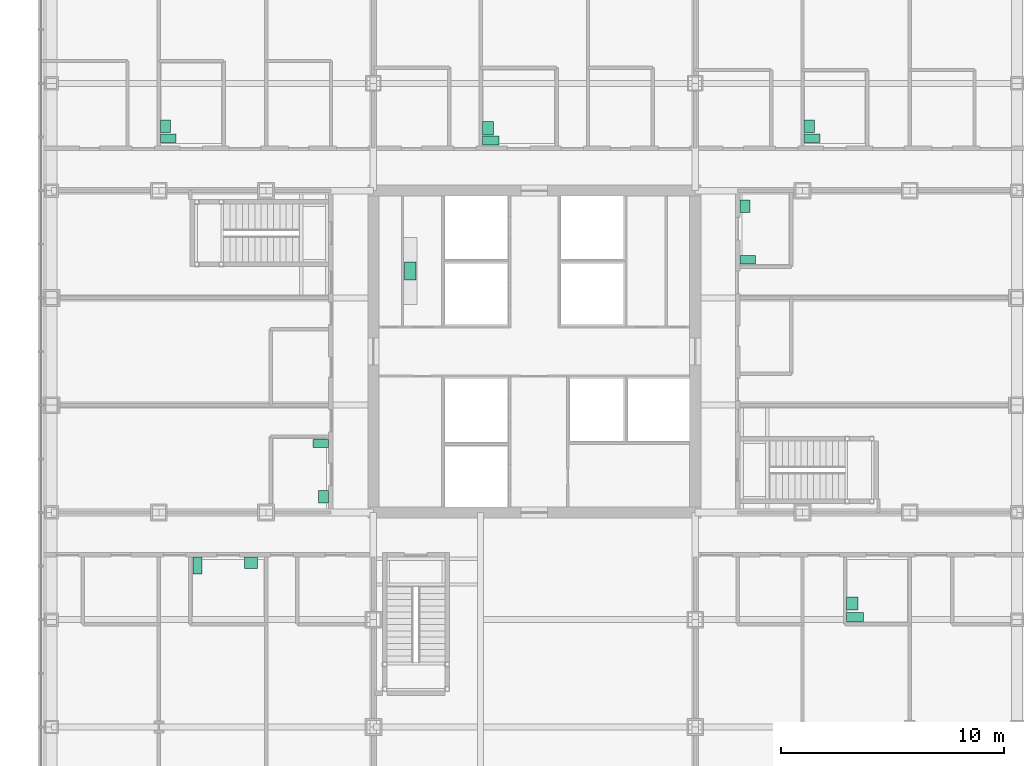
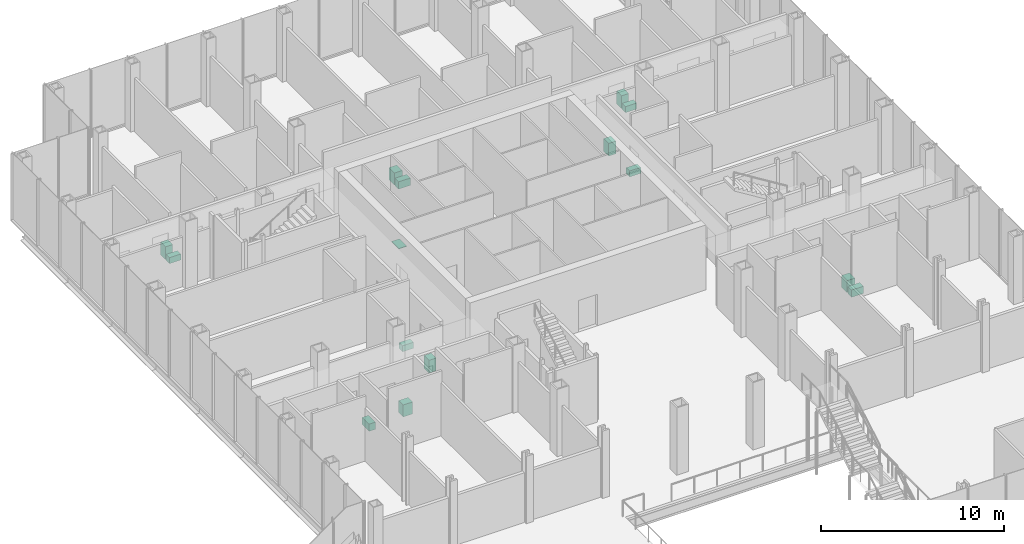
# One storey, part 27 of 28: 15 sanitary terminals.
"""IFC4 building model written with IfcOpenShell, lengths in metres."""

from ifc_helpers import new_model, si_unit, direction, frame, origin, origin_2d, place, context, subcontext, project, spatial, rectangle, extrude, material, type_object, element, save


model = new_model("IFC4")

# Units and contexts
model_context = context("Model", 3, precision=1e-05, world=origin(), true_north=direction((0.0, 1.0)))
body_context = subcontext(model_context, "Body", "Model", "MODEL_VIEW")
ifc_project = project(units=[si_unit("LENGTHUNIT", "METRE"), si_unit("AREAUNIT", "SQUARE_METRE"), si_unit("VOLUMEUNIT", "CUBIC_METRE"), si_unit("PLANEANGLEUNIT", "RADIAN"), si_unit("MASSUNIT", "GRAM", prefix="KILO")], contexts=[model_context])

# Site, building, storey
site_placement = place(None, origin())
site = spatial("IfcSite", under=ifc_project, at=site_placement, CompositionType="ELEMENT")
building_placement = place(site_placement, origin())
building = spatial("IfcBuilding", under=site, at=building_placement, Name="Kvirike Care Tower", CompositionType="ELEMENT")
storey_placement = place(building_placement, frame((0.0, 0.0, 4.5)))
storey = spatial("IfcBuildingStorey", under=building, at=storey_placement, Name="L01", CompositionType="ELEMENT", Elevation=4.5)

# Sanitary terminals
ifc_material_1 = material(Name="Vitreous china", Category="ceramic")
sanitary_terminal_type_1 = type_object("IfcSanitaryTerminalType", Name="ACCESSIBLE WASH BASIN 600 x 500", PredefinedType="WASHHANDBASIN", material=ifc_material_1)
for number, where, z_axis, x_axis, name in (
    (1, (8.925048828125, 26.548095703125, 0.02001953125), (0.0, 0.0, 1.0), (1.0, 0.0, 0.0), "Accessible wash basin L01-006"),
    (2, (19.527099609375, 46.0, 0.02001953125), (0.0, 0.0, 1.0), (0.0, 1.0, 0.0), "Accessible wash basin L01-029"),
    (3, (35.826904296875, 24.72509765625, 0.02001953125), (0.0, 0.0, 1.0), (0.0, 1.0, 0.0), "Accessible wash basin L01-036"),
):
    element("IfcSanitaryTerminal", number, at=place(storey_placement, frame(where, z_axis=z_axis, x_axis=x_axis)), inside=storey, type_object=sanitary_terminal_type_1, Name=name, PredefinedType="WASHHANDBASIN", context=body_context, shape_type="SweptSolid", body=[
        extrude(rectangle(XDim=0.60009765625, YDim=0.5, at=origin_2d()), origin(), (0.0, 0.0, 1.0), 0.800048828125),
    ])
ifc_material_2 = material(Name="Vitreous china", Category="ceramic")
sanitary_terminal_type_2 = type_object("IfcSanitaryTerminalType", Name="ACCESSIBLE WC PAN 400 x 750", PredefinedType="TOILETPAN", material=ifc_material_2)
for number, where, z_axis, x_axis, name in (
    (4, (6.52490234375, 26.423095703125, 0.02001953125), (0.0, 0.0, 1.0), (1.0, 0.0, 0.0), "Accessible WC pan L01-006"),
    (5, (19.652099609375, 45.449951171875, 0.02001953125), (0.0, 0.0, 1.0), (0.0, 1.0, 0.0), "Accessible WC pan L01-029"),
    (6, (35.951904296875, 24.125, 0.02001953125), (0.0, 0.0, 1.0), (0.0, 1.0, 0.0), "Accessible WC pan L01-036"),
):
    element("IfcSanitaryTerminal", number, at=place(storey_placement, frame(where, z_axis=z_axis, x_axis=x_axis)), inside=storey, type_object=sanitary_terminal_type_2, Name=name, PredefinedType="TOILETPAN", context=body_context, shape_type="SweptSolid", body=[
        extrude(rectangle(XDim=0.39990234375, YDim=0.75, at=origin_2d()), origin(), (0.0, 0.0, 1.0), 0.47998046875),
    ])
ifc_material_3 = material(Name="Stainless steel", Category="steel")
sanitary_terminal_type_3 = type_object("IfcSanitaryTerminalType", Name="KITCHEN SINK 800 x 500", PredefinedType="SINK", material=ifc_material_3)
sanitary_terminal_placement = place(storey_placement, frame((16.052001953125, 39.60009765625, 0.89990234375), z_axis=(0.0, 0.0, 1.0), x_axis=(0.0, 1.0, 0.0)))
element("IfcSanitaryTerminal", 7, at=sanitary_terminal_placement, inside=storey, type_object=sanitary_terminal_type_3, Name="Kitchen sink L01-066", PredefinedType="SINK", context=body_context, shape_type="SweptSolid", body=[
    extrude(rectangle(XDim=0.800048828125, YDim=0.5, at=origin_2d()), origin(), (0.0, 0.0, 1.0), 0.030029296875),
])
ifc_material_4 = material(Name="Vitreous china", Category="ceramic")
sanitary_terminal_type_4 = type_object("IfcSanitaryTerminalType", Name="WASH BASIN 550 x 450", PredefinedType="WASHHANDBASIN", material=ifc_material_4)
for number, where, z_axis, x_axis, name in (
    (8, (12.173095703125, 29.5, 0.02001953125), (0.0, 0.0, 1.0), (0.0, -1.0, 0.0), "Wash basin L01-014"),
    (9, (5.10205078125, 46.074951171875, 0.02001953125), (0.0, 0.0, 1.0), (0.0, 1.0, 0.0), "Wash basin L01-020"),
    (10, (31.027099609375, 42.5, 0.02001953125), (0.0, 0.0, 1.0), (0.0, 1.0, 0.0), "Wash basin L01-044"),
    (11, (33.902099609375, 46.074951171875, 0.02001953125), (0.0, 0.0, 1.0), (0.0, 1.0, 0.0), "Wash basin L01-050"),
):
    element("IfcSanitaryTerminal", number, at=place(storey_placement, frame(where, z_axis=z_axis, x_axis=x_axis)), inside=storey, type_object=sanitary_terminal_type_4, Name=name, PredefinedType="WASHHANDBASIN", context=body_context, shape_type="SweptSolid", body=[
        extrude(rectangle(XDim=0.550048828125, YDim=0.449951171875, at=origin_2d()), origin(), (0.0, 0.0, 1.0), 0.85009765625),
    ])
ifc_material_5 = material(Name="Vitreous china", Category="ceramic")
sanitary_terminal_type_5 = type_object("IfcSanitaryTerminalType", Name="WC PAN 380 x 700", PredefinedType="TOILETPAN", material=ifc_material_5)
for number, where, z_axis, x_axis, name in (
    (12, (12.048095703125, 31.885009765625, 0.02001953125), (0.0, 0.0, 1.0), (0.0, -1.0, 0.0), "WC pan L01-014"),
    (13, (5.22705078125, 45.5400390625, 0.02001953125), (0.0, 0.0, 1.0), (0.0, 1.0, 0.0), "WC pan L01-020"),
    (14, (31.152099609375, 40.114990234375, 0.02001953125), (0.0, 0.0, 1.0), (0.0, 1.0, 0.0), "WC pan L01-044"),
    (15, (34.027099609375, 45.5400390625, 0.02001953125), (0.0, 0.0, 1.0), (0.0, 1.0, 0.0), "WC pan L01-050"),
):
    element("IfcSanitaryTerminal", number, at=place(storey_placement, frame(where, z_axis=z_axis, x_axis=x_axis)), inside=storey, type_object=sanitary_terminal_type_5, Name=name, PredefinedType="TOILETPAN", context=body_context, shape_type="SweptSolid", body=[
        extrude(rectangle(XDim=0.3798828125, YDim=0.699951171875, at=origin_2d()), origin(), (0.0, 0.0, 1.0), 0.39990234375),
    ])

save(model, "model.ifc")
